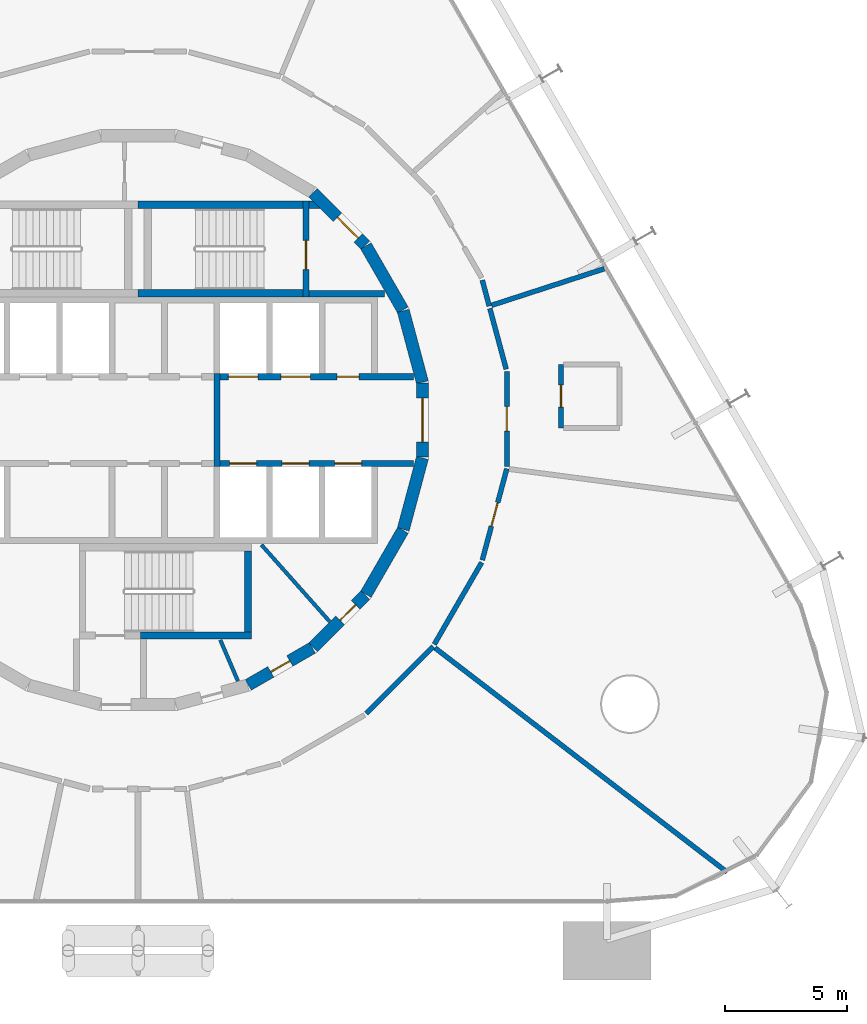
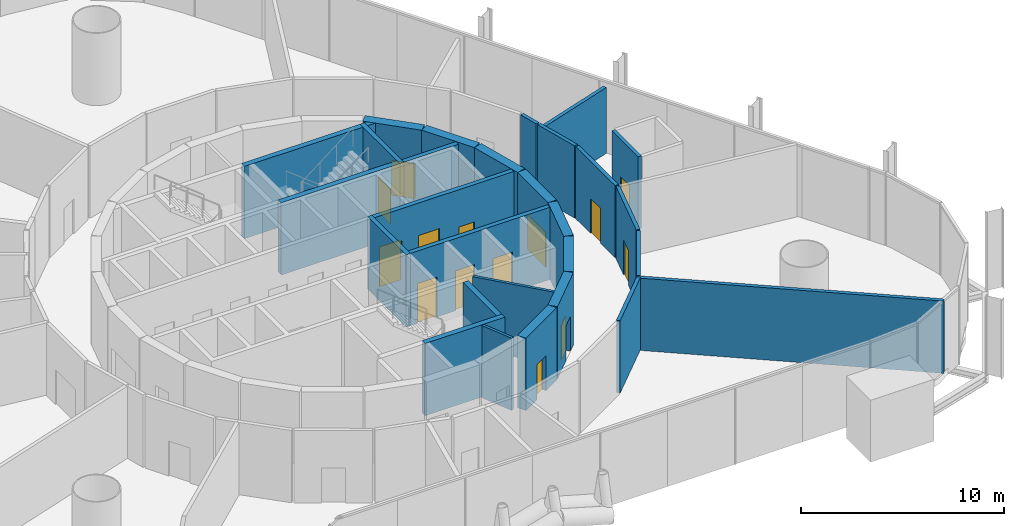
# One storey, part 15 of 17: 29 walls, 14 doors, 14 openings.
"""IFC4 building model written with IfcOpenShell, lengths in metres."""

from ifc_helpers import new_model, si_unit, direction, frame, frame_2d, origin, place, context, subcontext, project, spatial, polyline, rectangle, outline, extrude, material, layer, layer_set, type_object, element, fill, save


model = new_model("IFC4")

# Units and contexts
model_context = context("Model", 3, precision=1e-05, world=origin(), true_north=direction((0.0, 1.0)))
body_context = subcontext(model_context, "Body", "Model", "MODEL_VIEW")
ifc_project = project(units=[si_unit("LENGTHUNIT", "METRE"), si_unit("AREAUNIT", "SQUARE_METRE"), si_unit("VOLUMEUNIT", "CUBIC_METRE"), si_unit("PLANEANGLEUNIT", "RADIAN"), si_unit("MASSUNIT", "GRAM", prefix="KILO")], contexts=[model_context])

# Site, building, storey
site_placement = place(None, origin())
site = spatial("IfcSite", under=ifc_project, at=site_placement, CompositionType="ELEMENT")
building_placement = place(site_placement, origin())
building = spatial("IfcBuilding", under=site, at=building_placement, Name="Spindle Arch Residences", CompositionType="ELEMENT")
storey_placement = place(building_placement, frame((0.0, 0.0, 28.199951171875)))
storey = spatial("IfcBuildingStorey", under=building, at=storey_placement, Name="L05", CompositionType="ELEMENT", Elevation=28.199951171875)

# Wall, opening, door
ifc_material_1 = material(Name="Concrete C50/60", Category="concrete")
ifc_layer_1 = layer(ifc_material_1, 0.5)
ifc_layer_set_1 = layer_set([ifc_layer_1], Name="Core outline wall 500")
wall_type_1 = type_object("IfcWallType", Name="Core outline wall 500", PredefinedType="SHEAR", material=ifc_layer_set_1)
wall_1_placement = place(storey_placement, frame((4.510498046875, -10.84521484375, 0.0), z_axis=(0.0, 0.0, 1.0), x_axis=(0.865975092491, 0.500087131594, 0.0)))
wall_1 = element("IfcWall", 1, at=wall_1_placement, inside=storey, type_object=wall_type_1, Name="Core outline wall 2", PredefinedType="SHEAR", context=body_context, shape_type="SweptSolid", body=[
    extrude(rectangle(XDim=3.03271484375, YDim=0.5, at=frame_2d((1.516357421875, 0.0))), origin(), (0.0, 0.0, 1.0), 4.35009765625),
])
opening_1_placement = place(wall_1_placement, frame((1.06640625, 0.0, 0.0)))
opening_1 = element("IfcOpeningElement", 2, at=opening_1_placement, cuts=wall_1, Name="Opening L05-WD10", PredefinedType="OPENING", context=body_context, shape_type="SweptSolid", body=[
    extrude(rectangle(XDim=0.89990234375, YDim=2.10009765625, at=frame_2d((0.449951171875, 1.050048828125))), frame((0.0, 0.260009765625, 0.0), z_axis=(0.0, -1.0, 0.0), x_axis=(1.0, 0.0, 0.0)), (0.0, 0.0, 1.0), 0.52001953125),
])
ifc_material_2 = material(Name="Steel, fire-resisting door", Category="steel")
door_type_1 = type_object("IfcDoorType", Name="Service room door 900x2100", OperationType="SINGLE_SWING_LEFT", PredefinedType="DOOR", material=ifc_material_2)
door_1_placement = place(opening_1_placement, origin())
door_1 = element("IfcDoor", 3, at=door_1_placement, inside=storey, type_object=door_type_1, Name="Service room door L05-WD10", OperationType="SINGLE_SWING_LEFT", OverallHeight=2.10009765625, OverallWidth=0.89990234375, PredefinedType="DOOR", context=body_context, shape_type="SweptSolid", body=[
    extrude(rectangle(XDim=0.89990234375, YDim=2.10009765625, at=frame_2d((0.449951171875, 1.050048828125))), frame((0.0, 0.02490234375, 0.0), z_axis=(0.0, -1.0, 0.0), x_axis=(1.0, 0.0, 0.0)), (0.0, 0.0, 1.0), 0.050048828125),
])
fill(opening_1, door_1)

wall_2_placement = place(storey_placement, frame((7.163818359375, -9.30810546875, 0.0), z_axis=(0.0, 0.0, 1.0), x_axis=(0.707106781187, 0.707106781187, 0.0)))
wall_2 = element("IfcWall", 4, at=wall_2_placement, inside=storey, type_object=wall_type_1, Name="Core outline wall 3", PredefinedType="SHEAR", context=body_context, shape_type="SweptSolid", body=[
    extrude(rectangle(XDim=3.032470703125, YDim=0.5, at=frame_2d((1.51611328125, 0.0))), origin(), (0.0, 0.0, 1.0), 4.35009765625),
])
opening_2_placement = place(wall_2_placement, frame((1.56640625, 0.0, 0.0)))
opening_2 = element("IfcOpeningElement", 5, at=opening_2_placement, cuts=wall_2, Name="Opening L05-WD08", PredefinedType="OPENING", context=body_context, shape_type="SweptSolid", body=[
    extrude(rectangle(XDim=0.89990234375, YDim=2.10009765625, at=frame_2d((0.449951171875, 1.050048828125))), frame((0.0, 0.260009765625, 0.0), z_axis=(0.0, -1.0, 0.0), x_axis=(1.0, 0.0, 0.0)), (0.0, 0.0, 1.0), 0.52001953125),
])
door_2_placement = place(opening_2_placement, origin())
door_2 = element("IfcDoor", 6, at=door_2_placement, inside=storey, type_object=door_type_1, Name="Service room door L05-WD08", OperationType="SINGLE_SWING_LEFT", OverallHeight=2.10009765625, OverallWidth=0.89990234375, PredefinedType="DOOR", context=body_context, shape_type="SweptSolid", body=[
    extrude(rectangle(XDim=0.89990234375, YDim=2.10009765625, at=frame_2d((0.449951171875, 1.050048828125))), frame((0.0, 0.02490234375, 0.0), z_axis=(0.0, -1.0, 0.0), x_axis=(1.0, 0.0, 0.0)), (0.0, 0.0, 1.0), 0.050048828125),
])
fill(opening_2, door_2)

# Walls
for number, where, z_axis, x_axis, name in (
    (7, (9.32861328125, -7.13671875, 0.0), (0.0, 0.0, 1.0), (0.500087131594, 0.865975092491, 0.0), "Core outline wall 4"),
    (8, (10.858154296875, -4.479248046875, 0.0), (0.0, 0.0, 1.0), (0.258734743916, 0.965948410781, 0.0), "Core outline wall 5"),
):
    element("IfcWall", number, at=place(storey_placement, frame(where, z_axis=z_axis, x_axis=x_axis)), inside=storey, type_object=wall_type_1, Name=name, PredefinedType="SHEAR", context=body_context, shape_type="SweptSolid", body=[
        extrude(rectangle(XDim=3.03271484375, YDim=0.5, at=frame_2d((1.516357421875, 0.0))), origin(), (0.0, 0.0, 1.0), 4.35009765625),
    ])

# Wall, opening, door
wall_3_placement = place(storey_placement, frame((11.647216796875, -1.516357421875, 0.0), z_axis=(0.0, 0.0, 1.0), x_axis=(0.0, 1.0, 0.0)))
wall_3 = element("IfcWall", 9, at=wall_3_placement, inside=storey, type_object=wall_type_1, Name="Core outline wall 6", PredefinedType="SHEAR", context=body_context, shape_type="SweptSolid", body=[
    extrude(rectangle(XDim=3.03271484375, YDim=0.5, at=frame_2d((1.516357421875, 0.0))), origin(), (0.0, 0.0, 1.0), 4.35009765625),
])
opening_3_placement = place(wall_3_placement, frame((0.6162109375, 0.0, 0.0)))
opening_3 = element("IfcOpeningElement", 10, at=opening_3_placement, cuts=wall_3, Name="Opening L05-FE01", PredefinedType="OPENING", context=body_context, shape_type="SweptSolid", body=[
    extrude(rectangle(XDim=1.800048828125, YDim=2.10009765625, at=frame_2d((0.89990234375, 1.050048828125))), frame((0.0, 0.260009765625, 0.0), z_axis=(0.0, -1.0, 0.0), x_axis=(1.0, 0.0, 0.0)), (0.0, 0.0, 1.0), 0.52001953125),
])
ifc_material_3 = material(Name="Steel, fire-resisting door", Category="steel")
door_type_2 = type_object("IfcDoorType", Name="Fire-lift lobby door 1800x2100", OperationType="DOUBLE_DOOR_SINGLE_SWING", PredefinedType="DOOR", material=ifc_material_3)
door_3_placement = place(opening_3_placement, origin())
door_3 = element("IfcDoor", 11, at=door_3_placement, inside=storey, type_object=door_type_2, Name="Fire-lift lobby door L05-FE01", OperationType="DOUBLE_DOOR_SINGLE_SWING", OverallHeight=2.10009765625, OverallWidth=1.800048828125, PredefinedType="DOOR", context=body_context, shape_type="SweptSolid", body=[
    extrude(rectangle(XDim=1.800048828125, YDim=2.10009765625, at=frame_2d((0.89990234375, 1.050048828125))), frame((0.0, 0.02490234375, 0.0), z_axis=(0.0, -1.0, 0.0), x_axis=(1.0, 0.0, 0.0)), (0.0, 0.0, 1.0), 0.050048828125),
])
fill(opening_3, door_3)

# Walls
for number, where, z_axis, x_axis, name in (
    (12, (11.642822265625, 1.5498046875, 0.0), (0.0, 0.0, 1.0), (-0.258734743916, 0.965948410781, 0.0), "Core outline wall 7"),
    (13, (10.84521484375, 4.510498046875, 0.0), (0.0, 0.0, 1.0), (-0.500087131594, 0.865975092491, 0.0), "Core outline wall 8"),
):
    element("IfcWall", number, at=place(storey_placement, frame(where, z_axis=z_axis, x_axis=x_axis)), inside=storey, type_object=wall_type_1, Name=name, PredefinedType="SHEAR", context=body_context, shape_type="SweptSolid", body=[
        extrude(rectangle(XDim=3.03271484375, YDim=0.5, at=frame_2d((1.516357421875, 0.0))), origin(), (0.0, 0.0, 1.0), 4.35009765625),
    ])

# Wall, opening, door
wall_4_placement = place(storey_placement, frame((9.30810546875, 7.163818359375, 0.0), z_axis=(0.0, 0.0, 1.0), x_axis=(-0.707106781187, 0.707106781187, 0.0)))
wall_4 = element("IfcWall", 14, at=wall_4_placement, inside=storey, type_object=wall_type_1, Name="Core outline wall 9", PredefinedType="SHEAR", context=body_context, shape_type="SweptSolid", body=[
    extrude(rectangle(XDim=3.032470703125, YDim=0.5, at=frame_2d((1.51611328125, 0.0))), origin(), (0.0, 0.0, 1.0), 4.35009765625),
])
opening_4_placement = place(wall_4_placement, frame((0.416259765625, 0.0, 0.0)))
opening_4 = element("IfcOpeningElement", 15, at=opening_4_placement, cuts=wall_4, Name="Opening L05-AD01", PredefinedType="OPENING", context=body_context, shape_type="SweptSolid", body=[
    extrude(rectangle(XDim=1.199951171875, YDim=2.10009765625, at=frame_2d((0.60009765625, 1.050048828125))), frame((0.0, 0.260009765625, 0.0), z_axis=(0.0, -1.0, 0.0), x_axis=(1.0, 0.0, 0.0)), (0.0, 0.0, 1.0), 0.52001953125),
])
ifc_material_4 = material(Name="Steel, fire-resisting door", Category="steel")
door_type_3 = type_object("IfcDoorType", Name="Stair airlock door 1200x2100", OperationType="SINGLE_SWING_LEFT", PredefinedType="DOOR", material=ifc_material_4)
door_4_placement = place(opening_4_placement, origin())
door_4 = element("IfcDoor", 16, at=door_4_placement, inside=storey, type_object=door_type_3, Name="Stair airlock door L05-AD01", OperationType="SINGLE_SWING_RIGHT", OverallHeight=2.10009765625, OverallWidth=1.199951171875, PredefinedType="DOOR", context=body_context, shape_type="SweptSolid", body=[
    extrude(rectangle(XDim=1.199951171875, YDim=2.10009765625, at=frame_2d((0.60009765625, 1.050048828125))), frame((0.0, 0.02490234375, 0.0), z_axis=(0.0, -1.0, 0.0), x_axis=(1.0, 0.0, 0.0)), (0.0, 0.0, 1.0), 0.050048828125),
])
fill(opening_4, door_4)

# Wall, openings, doors
ifc_material_5 = material(Name="Concrete C40/50", Category="concrete")
ifc_layer_2 = layer(ifc_material_5, 0.25)
ifc_layer_set_2 = layer_set([ifc_layer_2], Name="Fire-lift lobby wall 250")
wall_type_2 = type_object("IfcWallType", Name="Fire-lift lobby wall 250", PredefinedType="SHEAR", material=ifc_layer_set_2)
wall_5_placement = place(storey_placement, frame((3.35009765625, 1.77490234375, 0.0), z_axis=(0.0, 0.0, 1.0), x_axis=(1.0, 0.0, 0.0)))
wall_5 = element("IfcWall", 17, at=wall_5_placement, inside=storey, type_object=wall_type_2, Name="Lift shaft front wall NE", PredefinedType="SHEAR", context=body_context, shape_type="SweptSolid", body=[
    extrude(rectangle(XDim=7.929931640625, YDim=0.25, at=frame_2d((3.96484375, 0.0))), origin(), (0.0, 0.0, 1.0), 4.35009765625),
])
opening_5_placement = place(wall_5_placement, frame((0.35009765625, 0.0, 0.0)))
opening_5 = element("IfcOpeningElement", 18, at=opening_5_placement, cuts=wall_5, Name="Opening L05-SLD01", PredefinedType="OPENING", context=body_context, shape_type="SweptSolid", body=[
    extrude(rectangle(XDim=1.199951171875, YDim=2.39990234375, at=frame_2d((0.60009765625, 1.199951171875))), frame((0.0, 0.135009765625, 0.0), z_axis=(0.0, -1.0, 0.0), x_axis=(1.0, 0.0, 0.0)), (0.0, 0.0, 1.0), 0.27001953125),
])
opening_6_placement = place(wall_5_placement, frame((2.5, 0.0, 0.0)))
opening_6 = element("IfcOpeningElement", 19, at=opening_6_placement, cuts=wall_5, Name="Opening L05-SLD02", PredefinedType="OPENING", context=body_context, shape_type="SweptSolid", body=[
    extrude(rectangle(XDim=1.199951171875, YDim=2.39990234375, at=frame_2d((0.60009765625, 1.199951171875))), frame((0.0, 0.135009765625, 0.0), z_axis=(0.0, -1.0, 0.0), x_axis=(1.0, 0.0, 0.0)), (0.0, 0.0, 1.0), 0.27001953125),
])
opening_7_placement = place(wall_5_placement, frame((4.800048828125, 0.0, 0.0)))
opening_7 = element("IfcOpeningElement", 20, at=opening_7_placement, cuts=wall_5, Name="Opening L05-WD03", PredefinedType="OPENING", context=body_context, shape_type="SweptSolid", body=[
    extrude(rectangle(XDim=0.89990234375, YDim=2.10009765625, at=frame_2d((0.449951171875, 1.050048828125))), frame((0.0, 0.135009765625, 0.0), z_axis=(0.0, -1.0, 0.0), x_axis=(1.0, 0.0, 0.0)), (0.0, 0.0, 1.0), 0.27001953125),
])
ifc_material_6 = material(Name="Steel, fire-resisting landing door", Category="steel")
door_type_4 = type_object("IfcDoorType", Name="Service lift landing door 1200x2400", OperationType="DOUBLE_DOOR_SLIDING", PredefinedType="DOOR", material=ifc_material_6)
door_5_placement = place(opening_5_placement, origin())
door_5 = element("IfcDoor", 21, at=door_5_placement, inside=storey, type_object=door_type_4, Name="Service lift landing door L05-SLD01", OperationType="DOUBLE_DOOR_SLIDING", OverallHeight=2.39990234375, OverallWidth=1.199951171875, PredefinedType="DOOR", context=body_context, shape_type="SweptSolid", body=[
    extrude(rectangle(XDim=1.199951171875, YDim=2.39990234375, at=frame_2d((0.60009765625, 1.199951171875))), frame((0.0, 0.02490234375, 0.0), z_axis=(0.0, -1.0, 0.0), x_axis=(1.0, 0.0, 0.0)), (0.0, 0.0, 1.0), 0.050048828125),
])
fill(opening_5, door_5)
door_6_placement = place(opening_6_placement, origin())
door_6 = element("IfcDoor", 22, at=door_6_placement, inside=storey, type_object=door_type_4, Name="Service lift landing door L05-SLD02", OperationType="DOUBLE_DOOR_SLIDING", OverallHeight=2.39990234375, OverallWidth=1.199951171875, PredefinedType="DOOR", context=body_context, shape_type="SweptSolid", body=[
    extrude(rectangle(XDim=1.199951171875, YDim=2.39990234375, at=frame_2d((0.60009765625, 1.199951171875))), frame((0.0, 0.02490234375, 0.0), z_axis=(0.0, -1.0, 0.0), x_axis=(1.0, 0.0, 0.0)), (0.0, 0.0, 1.0), 0.050048828125),
])
fill(opening_6, door_6)
door_7_placement = place(opening_7_placement, origin())
door_7 = element("IfcDoor", 23, at=door_7_placement, inside=storey, type_object=door_type_1, Name="Service room door L05-WD03", OperationType="SINGLE_SWING_RIGHT", OverallHeight=2.10009765625, OverallWidth=0.89990234375, PredefinedType="DOOR", context=body_context, shape_type="SweptSolid", body=[
    extrude(rectangle(XDim=0.89990234375, YDim=2.10009765625, at=frame_2d((0.449951171875, 1.050048828125))), frame((0.0, 0.02490234375, 0.0), z_axis=(0.0, -1.0, 0.0), x_axis=(1.0, 0.0, 0.0)), (0.0, 0.0, 1.0), 0.050048828125),
])
fill(opening_7, door_7)

# Wall
wall_6_placement = place(storey_placement, frame((3.22509765625, -1.89990234375, 0.0), z_axis=(0.0, 0.0, 1.0), x_axis=(0.0, 1.0, 0.0)))
element("IfcWall", 24, at=wall_6_placement, inside=storey, type_object=wall_type_2, Name="Fire-fighting lobby partition", PredefinedType="SHEAR", context=body_context, shape_type="SweptSolid", body=[
    extrude(rectangle(XDim=3.7998046875, YDim=0.25, at=frame_2d((1.89990234375, 0.0))), origin(), (0.0, 0.0, 1.0), 4.35009765625),
])

# Wall, openings, doors
ifc_material_7 = material(Name="Concrete C50/60", Category="concrete")
ifc_layer_3 = layer(ifc_material_7, 0.25)
ifc_layer_set_3 = layer_set([ifc_layer_3], Name="Fire-lift shaft wall 250")
wall_type_3 = type_object("IfcWallType", Name="Fire-lift shaft wall 250", PredefinedType="SHEAR", material=ifc_layer_set_3)
wall_7_placement = place(storey_placement, frame((3.35009765625, -1.77490234375, 0.0), z_axis=(0.0, 0.0, 1.0), x_axis=(1.0, 0.0, 0.0)))
wall_7 = element("IfcWall", 25, at=wall_7_placement, inside=storey, type_object=wall_type_3, Name="Lift shaft front wall SE", PredefinedType="SHEAR", context=body_context, shape_type="SweptSolid", body=[
    extrude(rectangle(XDim=7.929931640625, YDim=0.25, at=frame_2d((3.96484375, 0.0))), origin(), (0.0, 0.0, 1.0), 4.35009765625),
])
opening_8_placement = place(wall_7_placement, frame((0.39990234375, 0.0, 0.0)))
opening_8 = element("IfcOpeningElement", 26, at=opening_8_placement, cuts=wall_7, Name="Opening L05-FLD01", PredefinedType="OPENING", context=body_context, shape_type="SweptSolid", body=[
    extrude(rectangle(XDim=1.10009765625, YDim=2.39990234375, at=frame_2d((0.550048828125, 1.199951171875))), frame((0.0, 0.135009765625, 0.0), z_axis=(0.0, -1.0, 0.0), x_axis=(1.0, 0.0, 0.0)), (0.0, 0.0, 1.0), 0.27001953125),
])
opening_9_placement = place(wall_7_placement, frame((2.550048828125, 0.0, 0.0)))
opening_9 = element("IfcOpeningElement", 27, at=opening_9_placement, cuts=wall_7, Name="Opening L05-FLD02", PredefinedType="OPENING", context=body_context, shape_type="SweptSolid", body=[
    extrude(rectangle(XDim=1.10009765625, YDim=2.39990234375, at=frame_2d((0.550048828125, 1.199951171875))), frame((0.0, 0.135009765625, 0.0), z_axis=(0.0, -1.0, 0.0), x_axis=(1.0, 0.0, 0.0)), (0.0, 0.0, 1.0), 0.27001953125),
])
opening_10_placement = place(wall_7_placement, frame((4.699951171875, 0.0, 0.0)))
opening_10 = element("IfcOpeningElement", 28, at=opening_10_placement, cuts=wall_7, Name="Opening L05-FLD03", PredefinedType="OPENING", context=body_context, shape_type="SweptSolid", body=[
    extrude(rectangle(XDim=1.10009765625, YDim=2.39990234375, at=frame_2d((0.550048828125, 1.199951171875))), frame((0.0, 0.135009765625, 0.0), z_axis=(0.0, -1.0, 0.0), x_axis=(1.0, 0.0, 0.0)), (0.0, 0.0, 1.0), 0.27001953125),
])
ifc_material_8 = material(Name="Steel, fire-resisting landing door", Category="steel")
door_type_5 = type_object("IfcDoorType", Name="Fire-fighting lift landing door 1100x2400", OperationType="DOUBLE_DOOR_SLIDING", PredefinedType="DOOR", material=ifc_material_8)
door_8_placement = place(opening_8_placement, origin())
door_8 = element("IfcDoor", 29, at=door_8_placement, inside=storey, type_object=door_type_5, Name="Fire-fighting lift landing door L05-FLD01", OperationType="DOUBLE_DOOR_SLIDING", OverallHeight=2.39990234375, OverallWidth=1.10009765625, PredefinedType="DOOR", context=body_context, shape_type="SweptSolid", body=[
    extrude(rectangle(XDim=1.10009765625, YDim=2.39990234375, at=frame_2d((0.550048828125, 1.199951171875))), frame((0.0, 0.02490234375, 0.0), z_axis=(0.0, -1.0, 0.0), x_axis=(1.0, 0.0, 0.0)), (0.0, 0.0, 1.0), 0.050048828125),
])
fill(opening_8, door_8)
door_9_placement = place(opening_9_placement, origin())
door_9 = element("IfcDoor", 30, at=door_9_placement, inside=storey, type_object=door_type_5, Name="Fire-fighting lift landing door L05-FLD02", OperationType="DOUBLE_DOOR_SLIDING", OverallHeight=2.39990234375, OverallWidth=1.10009765625, PredefinedType="DOOR", context=body_context, shape_type="SweptSolid", body=[
    extrude(rectangle(XDim=1.10009765625, YDim=2.39990234375, at=frame_2d((0.550048828125, 1.199951171875))), frame((0.0, 0.02490234375, 0.0), z_axis=(0.0, -1.0, 0.0), x_axis=(1.0, 0.0, 0.0)), (0.0, 0.0, 1.0), 0.050048828125),
])
fill(opening_9, door_9)
door_10_placement = place(opening_10_placement, origin())
door_10 = element("IfcDoor", 31, at=door_10_placement, inside=storey, type_object=door_type_5, Name="Fire-fighting lift landing door L05-FLD03", OperationType="DOUBLE_DOOR_SLIDING", OverallHeight=2.39990234375, OverallWidth=1.10009765625, PredefinedType="DOOR", context=body_context, shape_type="SweptSolid", body=[
    extrude(rectangle(XDim=1.10009765625, YDim=2.39990234375, at=frame_2d((0.550048828125, 1.199951171875))), frame((0.0, 0.02490234375, 0.0), z_axis=(0.0, -1.0, 0.0), x_axis=(1.0, 0.0, 0.0)), (0.0, 0.0, 1.0), 0.050048828125),
])
fill(opening_10, door_10)

# Walls
ifc_material_9 = material(Name="Gypsum board partition on steel studs", Category="steel")
ifc_layer_4 = layer(ifc_material_9, 0.199951171875)
ifc_layer_set_4 = layer_set([ifc_layer_4], Name="Partition EI 60 200 amenity")
wall_type_4 = type_object("IfcWallType", Name="Partition EI 60 200 amenity", PredefinedType="PARTITIONING", material=ifc_layer_set_4)
wall_8_placement = place(storey_placement, frame((9.3408203125, -12.00927734375, 0.0), z_axis=(0.0, 0.0, 1.0), x_axis=(0.707106781187, 0.707106781187, 0.0)))
element("IfcWall", 32, at=wall_8_placement, inside=storey, type_object=wall_type_4, Name="L05-W034", PredefinedType="PARTITIONING", context=body_context, shape_type="SweptSolid", body=[
    extrude(rectangle(XDim=3.873779296875, YDim=0.199951171875, at=frame_2d((1.93701171875, 0.0))), origin(), (0.0, 0.0, 1.0), 4.35009765625),
])
wall_9_placement = place(storey_placement, frame((12.130126953125, -9.183349609375, 0.0), z_axis=(0.0, 0.0, 1.0), x_axis=(0.500760497952, 0.865585884642, 0.0)))
element("IfcWall", 33, at=wall_9_placement, inside=storey, type_object=wall_type_4, Name="L05-W039", PredefinedType="PARTITIONING", context=body_context, shape_type="SweptSolid", body=[
    extrude(rectangle(XDim=3.8740234375, YDim=0.199951171875, at=frame_2d((1.93701171875, 0.0))), origin(), (0.0, 0.0, 1.0), 4.35009765625),
])
wall_10_placement = place(storey_placement, frame((12.159423828125, -9.330810546875, 0.0), z_axis=(0.0, 0.0, 1.0), x_axis=(0.793226820575, -0.608926277246, 0.0)))
element("IfcWall", 34, at=wall_10_placement, inside=storey, type_object=wall_type_4, Name="L05-W040", PredefinedType="PARTITIONING", context=body_context, shape_type="SweptSolid", body=[
    extrude(rectangle(XDim=15.0908203125, YDim=0.199951171875, at=frame_2d((7.54541015625, 0.0))), origin(), (0.0, 0.0, 1.0), 4.35009765625),
])

# Wall, opening, door
wall_11_placement = place(storey_placement, frame((14.095947265625, -5.7333984375, 0.0), z_axis=(0.0, 0.0, 1.0), x_axis=(0.259085569159, 0.96585437197, 0.0)))
wall_11 = element("IfcWall", 35, at=wall_11_placement, inside=storey, type_object=wall_type_4, Name="L05-W042", PredefinedType="PARTITIONING", context=body_context, shape_type="SweptSolid", body=[
    extrude(rectangle(XDim=3.875732421875, YDim=0.199951171875, at=frame_2d((1.93798828125, 0.0))), origin(), (0.0, 0.0, 1.0), 4.35009765625),
])
opening_11_placement = place(wall_11_placement, frame((1.43798828125, 0.0, 0.0)))
opening_11 = element("IfcOpeningElement", 36, at=opening_11_placement, cuts=wall_11, Name="Opening L05-D06", PredefinedType="OPENING", context=body_context, shape_type="SweptSolid", body=[
    extrude(rectangle(XDim=1.0, YDim=2.10009765625, at=frame_2d((0.5, 1.050048828125))), frame((0.0, 0.10986328125, 0.0), z_axis=(0.0, -1.0, 0.0), x_axis=(1.0, 0.0, 0.0)), (0.0, 0.0, 1.0), 0.219970703125),
])
ifc_material_10 = material(Name="Timber door leaf", Category="wood")
door_type_6 = type_object("IfcDoorType", Name="Door 1000x2100 EI 30", OperationType="SINGLE_SWING_LEFT", PredefinedType="DOOR", material=ifc_material_10)
door_11_placement = place(opening_11_placement, origin())
door_11 = element("IfcDoor", 37, at=door_11_placement, inside=storey, type_object=door_type_6, Name="L05-D06", OperationType="SINGLE_SWING_LEFT", OverallHeight=2.10009765625, OverallWidth=1.0, PredefinedType="DOOR", context=body_context, shape_type="SweptSolid", body=[
    extrude(rectangle(XDim=1.0, YDim=2.10009765625, at=frame_2d((0.5, 1.050048828125))), frame((0.0, 0.02490234375, 0.0), z_axis=(0.0, -1.0, 0.0), x_axis=(1.0, 0.0, 0.0)), (0.0, 0.0, 1.0), 0.050048828125),
])
fill(opening_11, door_11)

# Walls
wall_12_placement = place(storey_placement, frame((14.3798828125, 4.669921875, 0.0), z_axis=(0.0, 0.0, 1.0), x_axis=(-0.258159565639, 0.966102292032, 0.0)))
element("IfcWall", 38, at=wall_12_placement, inside=storey, type_object=wall_type_4, Name="L05-W044", PredefinedType="PARTITIONING", context=body_context, shape_type="SweptSolid", body=[
    extrude(rectangle(XDim=1.100830078125, YDim=0.199951171875, at=frame_2d((0.55029296875, 0.0))), origin(), (0.0, 0.0, 1.0), 4.35009765625),
])
wall_13_placement = place(storey_placement, frame((14.47509765625, 4.700927734375, 0.0), z_axis=(0.0, 0.0, 1.0), x_axis=(0.951085450377, 0.308927930239, 0.0)))
element("IfcWall", 39, at=wall_13_placement, inside=storey, type_object=wall_type_4, Name="L05-W045", PredefinedType="PARTITIONING", context=body_context, shape_type="SweptSolid", body=[
    extrude(rectangle(XDim=4.852294921875, YDim=0.199951171875, at=frame_2d((2.42626953125, 0.0))), origin(), (0.0, 0.0, 1.0), 3.9599609375),
])

# Wall, opening, door
wall_14_placement = place(storey_placement, frame((15.10009765625, -1.889892578125, 0.0), z_axis=(0.0, 0.0, 1.0), x_axis=(0.0, 1.0, 0.0)))
wall_14 = element("IfcWall", 40, at=wall_14_placement, inside=storey, type_object=wall_type_4, Name="L05-W046", PredefinedType="PARTITIONING", context=body_context, shape_type="SweptSolid", body=[
    extrude(rectangle(XDim=3.8798828125, YDim=0.199951171875, at=frame_2d((1.93994140625, 0.0))), origin(), (0.0, 0.0, 1.0), 4.35009765625),
])
opening_12_placement = place(wall_14_placement, frame((1.43994140625, 0.0, 0.0)))
opening_12 = element("IfcOpeningElement", 41, at=opening_12_placement, cuts=wall_14, Name="Opening L05-D09", PredefinedType="OPENING", context=body_context, shape_type="SweptSolid", body=[
    extrude(rectangle(XDim=1.0, YDim=2.10009765625, at=frame_2d((0.5, 1.050048828125))), frame((0.0, 0.10986328125, 0.0), z_axis=(0.0, -1.0, 0.0), x_axis=(1.0, 0.0, 0.0)), (0.0, 0.0, 1.0), 0.219970703125),
])
door_12_placement = place(opening_12_placement, origin())
door_12 = element("IfcDoor", 42, at=door_12_placement, inside=storey, type_object=door_type_6, Name="L05-D09", OperationType="SINGLE_SWING_LEFT", OverallHeight=2.10009765625, OverallWidth=1.0, PredefinedType="DOOR", context=body_context, shape_type="SweptSolid", body=[
    extrude(rectangle(XDim=1.0, YDim=2.10009765625, at=frame_2d((0.5, 1.050048828125))), frame((0.0, 0.02490234375, 0.0), z_axis=(0.0, -1.0, 0.0), x_axis=(1.0, 0.0, 0.0)), (0.0, 0.0, 1.0), 0.050048828125),
])
fill(opening_12, door_12)

# Wall
wall_15_placement = place(storey_placement, frame((15.073974609375, 2.086669921875, 0.0), z_axis=(0.0, 0.0, 1.0), x_axis=(-0.259408996071, 0.965767556277, 0.0)))
element("IfcWall", 43, at=wall_15_placement, inside=storey, type_object=wall_type_4, Name="L05-W048", PredefinedType="PARTITIONING", context=body_context, shape_type="SweptSolid", body=[
    extrude(rectangle(XDim=2.574951171875, YDim=0.199951171875, at=frame_2d((1.28759765625, 0.0))), origin(), (0.0, 0.0, 1.0), 4.35009765625),
])

# Wall, opening, door
wall_16_placement = place(storey_placement, frame((17.320068359375, -0.320068359375, 0.0), z_axis=(0.0, 0.0, 1.0), x_axis=(0.0, 1.0, 0.0)))
wall_16 = element("IfcWall", 44, at=wall_16_placement, inside=storey, type_object=wall_type_4, Name="L05-W049", PredefinedType="PARTITIONING", context=body_context, shape_type="SweptSolid", body=[
    extrude(rectangle(XDim=2.60009765625, YDim=0.199951171875, at=frame_2d((1.300048828125, 0.0))), origin(), (0.0, 0.0, 1.0), 4.35009765625),
])
opening_13_placement = place(wall_16_placement, frame((0.85009765625, 0.0, 0.0)))
opening_13 = element("IfcOpeningElement", 45, at=opening_13_placement, cuts=wall_16, Name="Opening L05-D08", PredefinedType="OPENING", context=body_context, shape_type="SweptSolid", body=[
    extrude(rectangle(XDim=0.89990234375, YDim=2.10009765625, at=frame_2d((0.449951171875, 1.050048828125))), frame((0.0, 0.10986328125, 0.0), z_axis=(0.0, -1.0, 0.0), x_axis=(1.0, 0.0, 0.0)), (0.0, 0.0, 1.0), 0.219970703125),
])
ifc_material_11 = material(Name="Timber door leaf", Category="wood")
door_type_7 = type_object("IfcDoorType", Name="Door 900x2100 EI 30", OperationType="SINGLE_SWING_LEFT", PredefinedType="DOOR", material=ifc_material_11)
door_13_placement = place(opening_13_placement, origin())
door_13 = element("IfcDoor", 46, at=door_13_placement, inside=storey, type_object=door_type_7, Name="L05-D08", OperationType="SINGLE_SWING_LEFT", OverallHeight=2.10009765625, OverallWidth=0.89990234375, PredefinedType="DOOR", context=body_context, shape_type="SweptSolid", body=[
    extrude(rectangle(XDim=0.89990234375, YDim=2.10009765625, at=frame_2d((0.449951171875, 1.050048828125))), frame((0.0, 0.02490234375, 0.0), z_axis=(0.0, -1.0, 0.0), x_axis=(1.0, 0.0, 0.0)), (0.0, 0.0, 1.0), 0.050048828125),
])
fill(opening_13, door_13)

# Walls
ifc_material_12 = material(Name="Concrete C25/30", Category="concrete")
ifc_layer_5 = layer(ifc_material_12, 0.14990234375)
ifc_layer_set_5 = layer_set([ifc_layer_5], Name="Service room partition 150")
wall_type_5 = type_object("IfcWallType", Name="Service room partition 150", PredefinedType="PARTITIONING", material=ifc_layer_set_5)
wall_17_placement = place(storey_placement, frame((7.84228515625, -8.24755859375, 0.0), z_axis=(0.0, 0.0, 1.0), x_axis=(-0.66446128181, 0.747322691329, 0.0)))
element("IfcWall", 47, at=wall_17_placement, inside=storey, type_object=wall_type_5, Name="Core service room partition", PredefinedType="PARTITIONING", context=body_context, shape_type="SweptSolid", body=[
    extrude(rectangle(XDim=4.198486328125, YDim=0.14990234375, at=frame_2d((2.09912109375, 0.0))), origin(), (0.0, 0.0, 1.0), 4.35009765625),
])
wall_18_placement = place(storey_placement, frame((3.366943359375, -9.0068359375, 0.0), z_axis=(0.0, 0.0, 1.0), x_axis=(0.394387482265, -0.918944238696, 0.0)))
element("IfcWall", 48, at=wall_18_placement, inside=storey, type_object=wall_type_5, Name="Core service room partition", PredefinedType="PARTITIONING", context=body_context, shape_type="SweptSolid", body=[
    extrude(rectangle(XDim=1.824951171875, YDim=0.14990234375, at=frame_2d((0.91259765625, 0.0))), origin(), (0.0, 0.0, 1.0), 4.35009765625),
])
ifc_material_13 = material(Name="Concrete C40/50", Category="concrete")
ifc_layer_6 = layer(ifc_material_13, 0.25)
ifc_layer_set_6 = layer_set([ifc_layer_6], Name="Stair airlock wall 250")
wall_type_6 = type_object("IfcWallType", Name="Stair airlock wall 250", PredefinedType="SHEAR", material=ifc_layer_set_6)
wall_19_placement = place(storey_placement, frame((7.0, 5.175048828125, 0.0), z_axis=(0.0, 0.0, 1.0), x_axis=(1.0, 0.0, 0.0)))
element("IfcWall", 49, at=wall_19_placement, inside=storey, type_object=wall_type_6, Name="Stair ST-1 airlock wall S", PredefinedType="SHEAR", context=body_context, shape_type="SweptSolid", body=[
    extrude(rectangle(XDim=3.10009765625, YDim=0.25, at=frame_2d((1.550048828125, 0.0))), origin(), (0.0, 0.0, 1.0), 4.35009765625),
])
ifc_material_14 = material(Name="Concrete C40/50", Category="concrete")
wall_type_7 = type_object("IfcWallType", Name="Stair airlock wall profile", PredefinedType="SHEAR", material=ifc_material_14)
wall_20_placement = place(storey_placement, origin())
element("IfcWall", 50, at=wall_20_placement, inside=storey, type_object=wall_type_7, Name="Stair ST-1 airlock wall N", PredefinedType="SHEAR", context=body_context, shape_type="SweptSolid", body=[
    extrude(outline(polyline([(7.4482421875, 8.669921875), (7.0, 8.669921875), (7.0, 8.969970703125), (7.148193359375, 8.969970703125), (7.4482421875, 8.669921875)])), origin(), (0.0, 0.0, 1.0), 4.35009765625),
])

# Wall, opening, door
ifc_material_15 = material(Name="Concrete C50/60", Category="concrete")
ifc_layer_7 = layer(ifc_material_15, 0.25)
ifc_layer_set_7 = layer_set([ifc_layer_7], Name="Stair enclosure wall 250")
wall_type_8 = type_object("IfcWallType", Name="Stair enclosure wall 250", PredefinedType="SHEAR", material=ifc_layer_set_7)
wall_21_placement = place(storey_placement, frame((6.875, 5.050048828125, 0.0), z_axis=(0.0, 0.0, 1.0), x_axis=(0.0, 1.0, 0.0)))
wall_21 = element("IfcWall", 51, at=wall_21_placement, inside=storey, type_object=wall_type_8, Name="Stair ST-1 door wall", PredefinedType="SHEAR", context=body_context, shape_type="SweptSolid", body=[
    extrude(rectangle(XDim=3.919921875, YDim=0.25, at=frame_2d((1.9599609375, 0.0))), origin(), (0.0, 0.0, 1.0), 4.35009765625),
])
opening_14_placement = place(wall_21_placement, frame((1.110107421875, 0.0, 0.0)))
opening_14 = element("IfcOpeningElement", 52, at=opening_14_placement, cuts=wall_21, Name="Opening L05-SD01", PredefinedType="OPENING", context=body_context, shape_type="SweptSolid", body=[
    extrude(rectangle(XDim=1.199951171875, YDim=2.10009765625, at=frame_2d((0.60009765625, 1.050048828125))), frame((0.0, 0.135009765625, 0.0), z_axis=(0.0, -1.0, 0.0), x_axis=(1.0, 0.0, 0.0)), (0.0, 0.0, 1.0), 0.27001953125),
])
ifc_material_16 = material(Name="Steel, fire-resisting door", Category="steel")
door_type_8 = type_object("IfcDoorType", Name="Stair door 1200x2100", OperationType="SINGLE_SWING_RIGHT", PredefinedType="DOOR", material=ifc_material_16)
door_14_placement = place(opening_14_placement, origin())
door_14 = element("IfcDoor", 53, at=door_14_placement, inside=storey, type_object=door_type_8, Name="Stair door L05-SD01", OperationType="SINGLE_SWING_LEFT", OverallHeight=2.10009765625, OverallWidth=1.199951171875, PredefinedType="DOOR", context=body_context, shape_type="SweptSolid", body=[
    extrude(rectangle(XDim=1.199951171875, YDim=2.10009765625, at=frame_2d((0.60009765625, 1.050048828125))), frame((0.0, 0.02490234375, 0.0), z_axis=(0.0, -1.0, 0.0), x_axis=(1.0, 0.0, 0.0)), (0.0, 0.0, 1.0), 0.050048828125),
])
fill(opening_14, door_14)

# Walls
ifc_material_17 = material(Name="Concrete C50/60", Category="concrete")
ifc_layer_8 = layer(ifc_material_17, 0.300048828125)
ifc_layer_set_8 = layer_set([ifc_layer_8], Name="Stair enclosure wall 300")
wall_type_9 = type_object("IfcWallType", Name="Stair enclosure wall 300", PredefinedType="SHEAR", material=ifc_layer_set_8)
for number, where, z_axis, x_axis, name in (
    (54, (0.0, 5.199951171875, 0.0), (0.0, 0.0, 1.0), (1.0, 0.0, 0.0), "Stair ST-1 enclosure wall S"),
    (55, (0.0, 8.820068359375, 0.0), (0.0, 0.0, 1.0), (1.0, 0.0, 0.0), "Stair ST-1 enclosure wall N"),
):
    element("IfcWall", number, at=place(storey_placement, frame(where, z_axis=z_axis, x_axis=x_axis)), inside=storey, type_object=wall_type_9, Name=name, PredefinedType="SHEAR", context=body_context, shape_type="SweptSolid", body=[
        extrude(rectangle(XDim=6.75, YDim=0.300048828125, at=frame_2d((3.375, 0.0))), origin(), (0.0, 0.0, 1.0), 4.35009765625),
    ])
wall_22_placement = place(storey_placement, frame((4.5, -8.669921875, 0.0), z_axis=(0.0, 0.0, 1.0), x_axis=(0.0, 1.0, 0.0)))
element("IfcWall", 56, at=wall_22_placement, inside=storey, type_object=wall_type_9, Name="Stair ST-3 enclosure wall E", PredefinedType="SHEAR", context=body_context, shape_type="SweptSolid", body=[
    extrude(rectangle(XDim=3.31982421875, YDim=0.300048828125, at=frame_2d((1.659912109375, 0.0))), origin(), (0.0, 0.0, 1.0), 4.35009765625),
])
wall_23_placement = place(storey_placement, frame((0.10009765625, -8.820068359375, 0.0), z_axis=(0.0, 0.0, 1.0), x_axis=(1.0, 0.0, 0.0)))
element("IfcWall", 57, at=wall_23_placement, inside=storey, type_object=wall_type_9, Name="Stair ST-3 enclosure wall S", PredefinedType="SHEAR", context=body_context, shape_type="SweptSolid", body=[
    extrude(rectangle(XDim=4.5498046875, YDim=0.300048828125, at=frame_2d((2.27490234375, 0.0))), origin(), (0.0, 0.0, 1.0), 4.35009765625),
])

save(model, "model.ifc")
